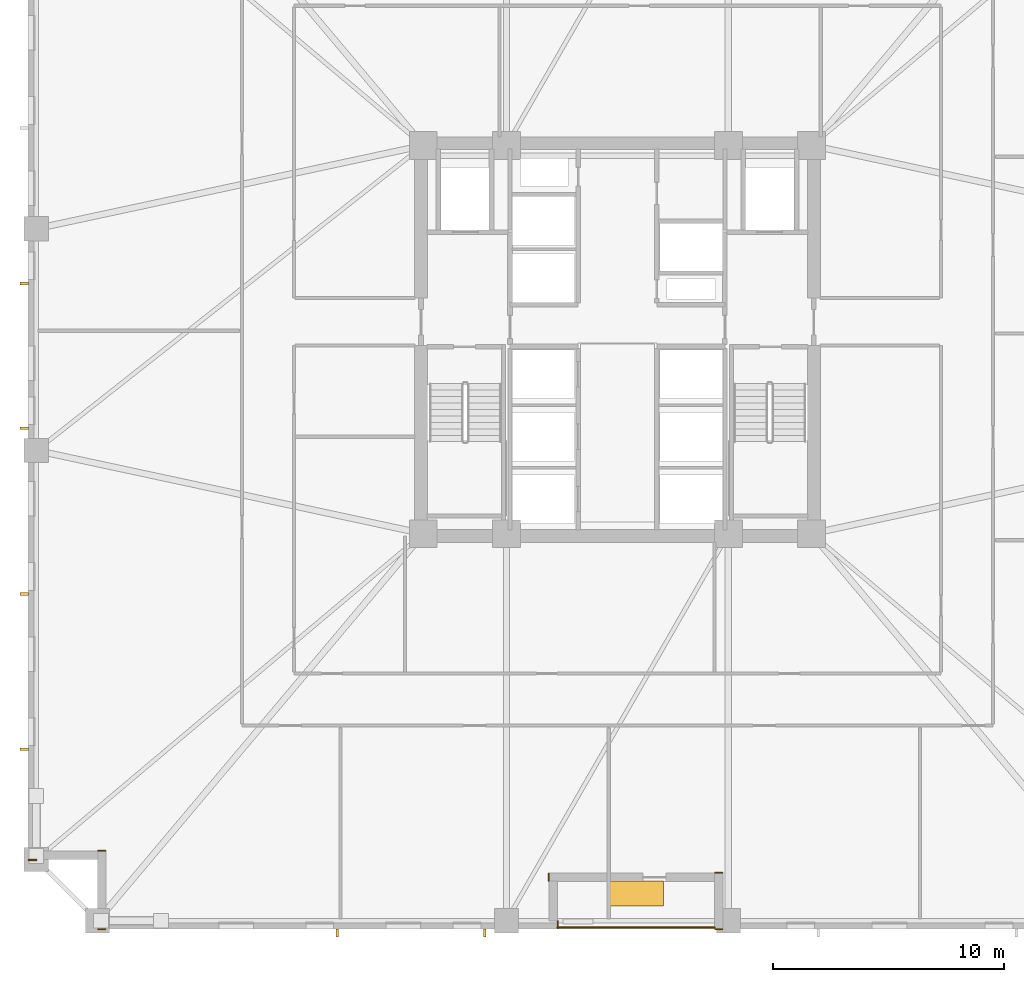
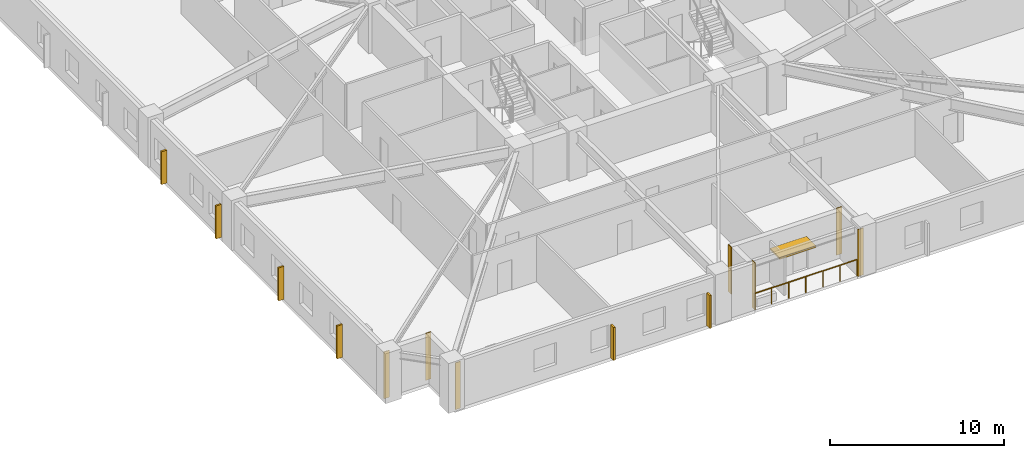
# One storey, part 7 of 11: 7 coverings, 7 shading devices, 1 railing.
"""IFC4 building model written with IfcOpenShell, lengths in metres."""

from ifc_helpers import new_model, si_unit, direction, frame, frame_2d, origin, origin_2d, place, context, subcontext, project, spatial, rectangle, circle, extrude, material, layer, layer_set, type_object, element, save


model = new_model("IFC4")

# Units and contexts
model_context = context("Model", 3, precision=1e-05, world=origin(), true_north=direction((0.0, 1.0)))
body_context = subcontext(model_context, "Body", "Model", "MODEL_VIEW")
ifc_project = project(units=[si_unit("LENGTHUNIT", "METRE"), si_unit("AREAUNIT", "SQUARE_METRE"), si_unit("VOLUMEUNIT", "CUBIC_METRE"), si_unit("PLANEANGLEUNIT", "RADIAN"), si_unit("MASSUNIT", "GRAM", prefix="KILO")], contexts=[model_context])

# Site, building, storey
site_placement = place(None, origin())
site = spatial("IfcSite", under=ifc_project, at=site_placement, CompositionType="ELEMENT")
building_placement = place(site_placement, origin())
building = spatial("IfcBuilding", under=site, at=building_placement, Name="Cairnveth Concourse Tower", CompositionType="ELEMENT")
storey_placement = place(building_placement, frame((0.0, 0.0, 41.0)))
storey = spatial("IfcBuildingStorey", under=building, at=storey_placement, Name="L10", CompositionType="ELEMENT", Elevation=41.0)

# Coverings
ifc_material_1 = material(Name="Dressed Melbourne Bluestone Cladding", Category="masonry")
ifc_layer = layer(ifc_material_1, 0.050048828125)
ifc_layer_set = layer_set([ifc_layer], Name="Dressed Melbourne Bluestone Cladding")
covering_type = type_object("IfcCoveringType", Name="DRESSED BLUESTONE PLINTH CLADDING 50", PredefinedType="CLADDING", material=ifc_layer_set)
for number, where, z_axis, x_axis, name in (
    (1, (49.419921875, 13.860107421875, 0.0), (0.0, 0.0, 1.0), (0.0, -1.0, 0.0), "Melbourne Bluestone Corner Quoin L10-103"),
    (2, (29.860107421875, 13.47998046875, 0.0), (0.0, 0.0, 1.0), (-1.0, 0.0, 0.0), "Melbourne Bluestone Corner Quoin L10-104"),
    (3, (29.860107421875, 16.8798828125, 0.0), (0.0, 0.0, 1.0), (-1.0, 0.0, 0.0), "Melbourne Bluestone Corner Quoin L10-105"),
    (4, (26.860107421875, 16.47998046875, 0.0), (0.0, 0.0, 1.0), (-1.0, 0.0, 0.0), "Melbourne Bluestone Corner Quoin L10-106"),
    (5, (56.56005859375, 13.47998046875, 0.0), (0.0, 0.0, 1.0), (-1.0, 0.0, 0.0), "Melbourne Bluestone Corner Quoin L10-116"),
    (6, (56.56005859375, 15.929931640625, 0.0), (0.0, 0.0, 1.0), (-1.0, 0.0, 0.0), "Melbourne Bluestone Corner Quoin L10-117"),
):
    element("IfcCovering", number, at=place(storey_placement, frame(where, z_axis=z_axis, x_axis=x_axis)), inside=storey, type_object=covering_type, Name=name, PredefinedType="CLADDING", context=body_context, shape_type="SweptSolid", body=[
        extrude(rectangle(XDim=0.360107421875, YDim=0.050048828125, at=frame_2d((0.18017578125, 0.0))), origin(), (0.0, 0.0, 1.0), 3.280029296875),
    ])
covering_placement = place(storey_placement, frame((49.02001953125, 15.909912109375, 0.0), z_axis=(0.0, 0.0, 1.0), x_axis=(0.0, -1.0, 0.0)))
element("IfcCovering", 7, at=covering_placement, inside=storey, type_object=covering_type, Name="Melbourne Bluestone Corner Quoin L10-118", PredefinedType="CLADDING", context=body_context, shape_type="SweptSolid", body=[
    extrude(rectangle(XDim=0.35986328125, YDim=0.050048828125, at=frame_2d((0.179931640625, 0.0))), origin(), (0.0, 0.0, 1.0), 3.280029296875),
])

# Shading devices
ifc_material_2 = material(Name="Architectural Bronze Anodised Aluminium 6063-T6", Category="aluminium")
shading_device_type_1 = type_object("IfcShadingDeviceType", Name="GOTHIC BRONZE VERTICAL LANCET FIN", PredefinedType="USERDEFINED", material=ifc_material_2)
for number, where, z_axis, x_axis, name in (
    (8, (46.252197265625, 13.324951171875, 0.02978515625), (0.0, 0.0, 1.0), (1.0, 0.0, 0.0), "Gothic Bronze Vertical Fin L10-0-1"),
    (9, (39.871337890625, 13.324951171875, 0.02978515625), (0.0, 0.0, 1.0), (1.0, 0.0, 0.0), "Gothic Bronze Vertical Fin L10-0-3"),
    (10, (26.324951171875, 21.27001953125, 0.02978515625), (0.0, 0.0, 1.0), (0.0, 1.0, 0.0), "Gothic Bronze Vertical Fin L10-3-1"),
    (11, (26.324951171875, 27.990478515625, 0.02978515625), (0.0, 0.0, 1.0), (0.0, 1.0, 0.0), "Gothic Bronze Vertical Fin L10-3-3"),
    (12, (26.324951171875, 35.160888671875, 0.02978515625), (0.0, 0.0, 1.0), (0.0, 1.0, 0.0), "Gothic Bronze Vertical Fin L10-3-5"),
    (13, (26.324951171875, 41.43115234375, 0.02978515625), (0.0, 0.0, 1.0), (0.0, 1.0, 0.0), "Gothic Bronze Vertical Fin L10-3-7"),
):
    element("IfcShadingDevice", number, at=place(storey_placement, frame(where, z_axis=z_axis, x_axis=x_axis)), inside=storey, type_object=shading_device_type_1, Name=name, ObjectType="VERTICAL FIN", PredefinedType="USERDEFINED", context=body_context, shape_type="SweptSolid", body=[
        extrude(rectangle(XDim=0.1201171875, YDim=0.360107421875, at=origin_2d()), origin(), (0.0, 0.0, 1.0), 2.303955078125),
    ])
shading_device_type_2 = type_object("IfcShadingDeviceType", Name="SPIRAL TERRACE SUNSHADE CANOPY", PredefinedType="USERDEFINED", material=ifc_material_2)
shading_device_placement = place(storey_placement, frame((52.800048828125, 15.030029296875, 2.183837890625), z_axis=(0.0, 0.0, 1.0), x_axis=(1.0, 0.0, 0.0)))
element("IfcShadingDevice", 14, at=shading_device_placement, inside=storey, type_object=shading_device_type_2, Name="Spiral Terrace Sunshade L10", ObjectType="TERRACE SUNSHADE", PredefinedType="USERDEFINED", context=body_context, shape_type="SweptSolid", body=[
    extrude(rectangle(XDim=2.39990234375, YDim=1.10009765625, at=origin_2d()), origin(), (0.0, 0.0, 1.0), 0.1201171875),
])

# Railing
railing_type = type_object("IfcRailingType", Name="TERRACE BRONZE BALUSTRADE 1150", PredefinedType="BALUSTRADE", material=ifc_material_2)
railing_placement = place(storey_placement, frame((49.39990234375, 13.56005859375, 0.0)))
element("IfcRailing", 15, at=railing_placement, inside=storey, type_object=railing_type, Name="Terrace Balustrade RL-L10-TERR", PredefinedType="BALUSTRADE", context=body_context, shape_type="SweptSolid", body=[
    extrude(circle(Radius=0.02490234375, at=origin_2d()), frame((0.0, 0.0, 1.125), z_axis=(1.0, 0.0, 0.0), x_axis=(0.0, 1.0, 0.0)), (0.0, 0.0, 1.0), 6.800048828125),
    extrude(circle(Radius=0.02099609375, at=origin_2d()), origin(), (0.0, 0.0, 1.0), 1.099853515625),
    extrude(circle(Radius=0.02099609375, at=origin_2d()), frame((1.13330078125, 0.0, 0.0)), (0.0, 0.0, 1.0), 1.099853515625),
    extrude(circle(Radius=0.02099609375, at=origin_2d()), frame((2.2666015625, 0.0, 0.0)), (0.0, 0.0, 1.0), 1.099853515625),
    extrude(circle(Radius=0.02099609375, at=origin_2d()), frame((3.39990234375, 0.0, 0.0)), (0.0, 0.0, 1.0), 1.099853515625),
    extrude(circle(Radius=0.02099609375, at=origin_2d()), frame((4.533447265625, 0.0, 0.0)), (0.0, 0.0, 1.0), 1.099853515625),
    extrude(circle(Radius=0.02099609375, at=origin_2d()), frame((5.666748046875, 0.0, 0.0)), (0.0, 0.0, 1.0), 1.099853515625),
    extrude(circle(Radius=0.02099609375, at=origin_2d()), frame((6.800048828125, 0.0, 0.0)), (0.0, 0.0, 1.0), 1.099853515625),
])

save(model, "model.ifc")
